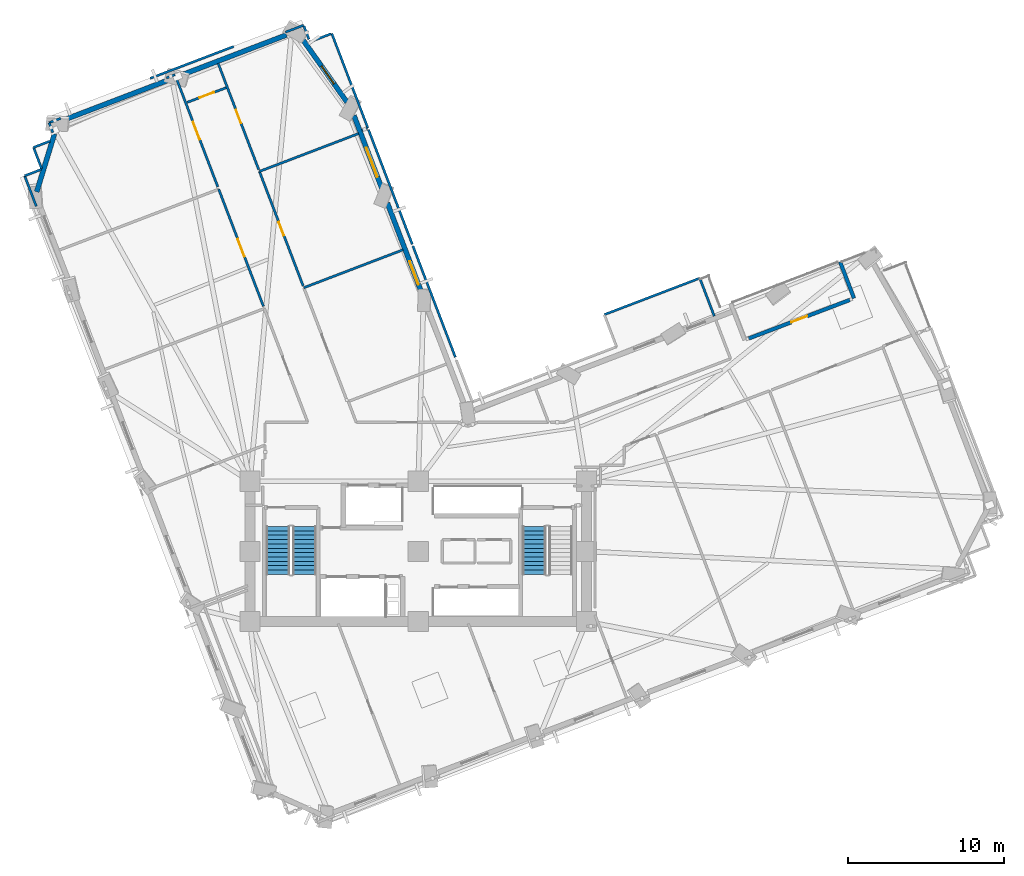
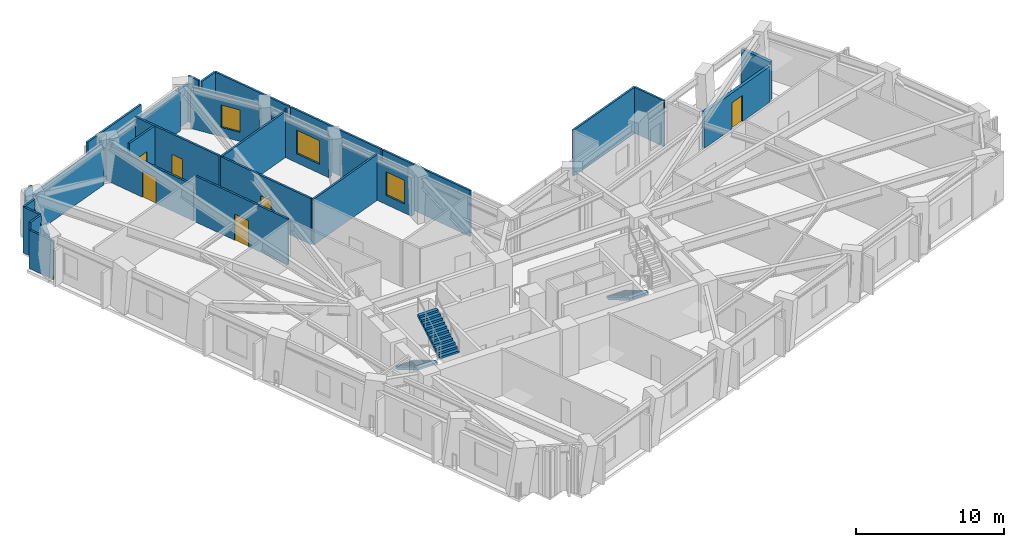
# One storey, part 11 of 15: 32 walls, 6 doors, 3 stair flights, 3 windows, 9 openings, 2 elements without a shape of their own.
"""IFC4 building model written with IfcOpenShell, lengths in metres."""

from ifc_helpers import new_model, si_unit, direction, frame, frame_2d, origin, place, context, subcontext, project, spatial, polyline, rectangle, outline, extrude, material, layer, layer_set, type_object, element, fill, aggregate, save


model = new_model("IFC4")

# Units and contexts
model_context = context("Model", 3, precision=1e-05, world=origin(), true_north=direction((0.0, 1.0)))
body_context = subcontext(model_context, "Body", "Model", "MODEL_VIEW")
ifc_project = project(units=[si_unit("LENGTHUNIT", "METRE"), si_unit("AREAUNIT", "SQUARE_METRE"), si_unit("VOLUMEUNIT", "CUBIC_METRE"), si_unit("PLANEANGLEUNIT", "RADIAN"), si_unit("MASSUNIT", "GRAM", prefix="KILO")], contexts=[model_context])

# Site, building, storey
site_placement = place(None, origin())
site = spatial("IfcSite", under=ifc_project, at=site_placement, CompositionType="ELEMENT")
building_placement = place(site_placement, origin())
building = spatial("IfcBuilding", under=site, at=building_placement, Name="Gaonmaruhae Medical Tower", CompositionType="ELEMENT")
storey_placement = place(building_placement, frame((0.0, 0.0, 112.39990234375)))
storey = spatial("IfcBuildingStorey", under=building, at=storey_placement, Name="L26", CompositionType="ELEMENT", Elevation=112.39990234375)

# Wall, opening, door
ifc_material_1 = material(Name="Precast concrete C45/55", Category="concrete")
ifc_layer_1 = layer(ifc_material_1, 0.239990234375)
ifc_layer_set_1 = layer_set([ifc_layer_1], Name="Precast concrete C45/55")
wall_type_1 = type_object("IfcWallType", Name="EW-240 Ribbon & Shelter Insulated Precast Wall", PredefinedType="SOLIDWALL", material=ifc_layer_set_1)
wall_1_placement = place(storey_placement, frame((46.014892578125, 25.965576171875, 0.0), z_axis=(0.0, 0.0, 1.0), x_axis=(0.934206271621, 0.356733292621, 0.0)))
wall_1 = element("IfcWall", 1, at=wall_1_placement, inside=storey, type_object=wall_type_1, Name="L26 Recessed Terrace Enclosure Wall TERB", PredefinedType="SOLIDWALL", context=body_context, shape_type="SweptSolid", body=[
    extrude(rectangle(XDim=6.960205078125, YDim=0.239990234375, at=frame_2d((3.47998046875, 0.0))), origin(), (0.0, 0.0, 1.0), 2.945068359375),
])
opening_1_placement = place(wall_1_placement, frame((2.929931640625, 0.0, 0.0)))
opening_1 = element("IfcOpeningElement", 2, at=opening_1_placement, cuts=wall_1, Name="Opening TD-01", PredefinedType="OPENING", context=body_context, shape_type="SweptSolid", body=[
    extrude(rectangle(XDim=1.10009765625, YDim=2.14990234375, at=frame_2d((0.550048828125, 1.074951171875))), frame((0.0, 0.1298828125, 0.0), z_axis=(0.0, -1.0, 0.0), x_axis=(1.0, 0.0, 0.0)), (0.0, 0.0, 1.0), 0.260009765625),
])
ifc_material_2 = material(Name="Anodised aluminium and toughened safety glass", Category="aluminium")
door_type_1 = type_object("IfcDoorType", Name="TD-01 Terrace & Sky Garden Glazed Door 1100x2150", OperationType="NOTDEFINED", PredefinedType="DOOR", material=ifc_material_2)
door_1_placement = place(opening_1_placement, origin())
door_1 = element("IfcDoor", 3, at=door_1_placement, inside=storey, type_object=door_type_1, Name="L26 Outdoor Terrace Access Door SLB-L26-TER", OperationType="SINGLE_SWING_RIGHT", OverallHeight=2.14990234375, OverallWidth=1.10009765625, PredefinedType="DOOR", context=body_context, shape_type="SweptSolid", body=[
    extrude(rectangle(XDim=1.10009765625, YDim=2.14990234375, at=frame_2d((0.550048828125, 1.074951171875))), frame((0.0, 0.02490234375, 0.0), z_axis=(0.0, -1.0, 0.0), x_axis=(1.0, 0.0, 0.0)), (0.0, 0.0, 1.0), 0.050048828125),
])
fill(opening_1, door_1)

# Wall
wall_2_placement = place(storey_placement, frame((52.77880859375, 28.54833984375, 0.0), z_axis=(0.0, 0.0, 1.0), x_axis=(-0.356831731401, 0.934168676131, 0.0)))
element("IfcWall", 4, at=wall_2_placement, inside=storey, type_object=wall_type_1, Name="L26 Recessed Terrace Enclosure Wall TERR", PredefinedType="SOLIDWALL", context=body_context, shape_type="SweptSolid", body=[
    extrude(rectangle(XDim=2.5, YDim=0.239990234375, at=frame_2d((1.25, 0.0))), origin(), (0.0, 0.0, 1.0), 3.1650390625),
])

# Wall, opening, window
ifc_layer_2 = layer(ifc_material_1, 0.320068359375)
ifc_layer_set_2 = layer_set([ifc_layer_2], Name="Precast concrete C45/55")
wall_type_2 = type_object("IfcWallType", Name="EW-320 Lower Precast Masonry-Frame Facade Wall", PredefinedType="SOLIDWALL", material=ifc_layer_set_2)
wall_3_placement = place(storey_placement, frame((22.821533203125, 34.665283203125, 0.0), z_axis=(0.0, 0.0, 1.0), x_axis=(0.356719620657, -0.934211492243, 0.0)))
wall_3 = element("IfcWall", 5, at=wall_3_placement, inside=storey, type_object=wall_type_2, Name="L26 Precast Masonry-Frame Wall NE01-NE02", PredefinedType="SOLIDWALL", context=body_context, shape_type="SweptSolid", body=[
    extrude(rectangle(XDim=6.22265625, YDim=0.320068359375, at=frame_2d((3.111328125, 0.0))), origin(), (0.0, 0.0, 1.0), 3.1650390625),
])
opening_2_placement = place(wall_3_placement, frame((3.998779296875, 0.0, 0.75)))
opening_2 = element("IfcOpeningElement", 6, at=opening_2_placement, cuts=wall_3, Name="Opening WN-01", PredefinedType="OPENING", context=body_context, shape_type="SweptSolid", body=[
    extrude(rectangle(XDim=1.60009765625, YDim=1.949951171875, at=frame_2d((0.800048828125, 0.97509765625))), frame((0.0, 0.169921875, 0.0), z_axis=(0.0, -1.0, 0.0), x_axis=(1.0, 0.0, 0.0)), (0.0, 0.0, 1.0), 0.340087890625),
])
ifc_material_3 = material(Name="Anodised aluminium and Low-E double glazing", Category="aluminium")
window_type_1 = type_object("IfcWindowType", Name="WN-01 Ward Punched Acoustic Window 1600x1950", PartitioningType="SINGLE_PANEL", PredefinedType="WINDOW", material=ifc_material_3)
window_1_placement = place(opening_2_placement, origin())
window_1 = element("IfcWindow", 7, at=window_1_placement, inside=storey, type_object=window_type_1, Name="L26 Modular Facade Window NE01", OverallHeight=1.949951171875, OverallWidth=1.60009765625, PartitioningType="SINGLE_PANEL", PredefinedType="WINDOW", context=body_context, shape_type="SweptSolid", body=[
    extrude(rectangle(XDim=1.60009765625, YDim=1.949951171875, at=frame_2d((0.800048828125, 0.97509765625))), frame((0.0, 0.030029296875, 0.0), z_axis=(0.0, -1.0, 0.0), x_axis=(1.0, 0.0, 0.0)), (0.0, 0.0, 1.0), 0.06005859375),
])
fill(opening_2, window_1)

wall_4_placement = place(storey_placement, frame((20.676025390625, 40.28369140625, 0.0), z_axis=(0.0, 0.0, 1.0), x_axis=(0.356741479656, -0.934203145302, 0.0)))
wall_4 = element("IfcWall", 8, at=wall_4_placement, inside=storey, type_object=wall_type_2, Name="L26 Precast Masonry-Frame Wall NE02-NE03", PredefinedType="SOLIDWALL", context=body_context, shape_type="SweptSolid", body=[
    extrude(rectangle(XDim=5.047119140625, YDim=0.320068359375, at=frame_2d((2.5234375, 0.0))), origin(), (0.0, 0.0, 1.0), 3.1650390625),
])
opening_3_placement = place(wall_4_placement, frame((2.220703125, 0.0, 0.75)))
opening_3 = element("IfcOpeningElement", 9, at=opening_3_placement, cuts=wall_4, Name="Opening WN-02", PredefinedType="OPENING", context=body_context, shape_type="SweptSolid", body=[
    extrude(rectangle(XDim=2.0, YDim=1.949951171875, at=frame_2d((1.0, 0.97509765625))), frame((0.0, 0.169921875, 0.0), z_axis=(0.0, -1.0, 0.0), x_axis=(1.0, 0.0, 0.0)), (0.0, 0.0, 1.0), 0.340087890625),
])
window_type_2 = type_object("IfcWindowType", Name="WN-02 Double-Bed Ward Punched Window 2000x1950", PartitioningType="SINGLE_PANEL", PredefinedType="WINDOW", material=ifc_material_3)
window_2_placement = place(opening_3_placement, origin())
window_2 = element("IfcWindow", 10, at=window_2_placement, inside=storey, type_object=window_type_2, Name="L26 Modular Facade Window NE02", OverallHeight=1.949951171875, OverallWidth=2.0, PartitioningType="SINGLE_PANEL", PredefinedType="WINDOW", context=body_context, shape_type="SweptSolid", body=[
    extrude(rectangle(XDim=2.0, YDim=1.949951171875, at=frame_2d((1.0, 0.97509765625))), frame((0.0, 0.030029296875, 0.0), z_axis=(0.0, -1.0, 0.0), x_axis=(1.0, 0.0, 0.0)), (0.0, 0.0, 1.0), 0.06005859375),
])
fill(opening_3, window_2)

wall_5_placement = place(storey_placement, frame((17.265380859375, 45.32958984375, 0.0), z_axis=(0.0, 0.0, 1.0), x_axis=(0.577621035299, -0.816305053017, 0.0)))
wall_5 = element("IfcWall", 11, at=wall_5_placement, inside=storey, type_object=wall_type_2, Name="L26 Precast Masonry-Frame Wall NE03-N01", PredefinedType="SOLIDWALL", context=body_context, shape_type="SweptSolid", body=[
    extrude(rectangle(XDim=5.128662109375, YDim=0.320068359375, at=frame_2d((2.564453125, 0.0))), origin(), (0.0, 0.0, 1.0), 3.1650390625),
])
opening_4_placement = place(wall_5_placement, frame((2.293212890625, 0.0, 0.75)))
opening_4 = element("IfcOpeningElement", 12, at=opening_4_placement, cuts=wall_5, Name="Opening WN-03", PredefinedType="OPENING", context=body_context, shape_type="SweptSolid", body=[
    extrude(rectangle(XDim=1.39990234375, YDim=1.85009765625, at=frame_2d((0.699951171875, 0.925048828125))), frame((0.0, 0.169921875, 0.0), z_axis=(0.0, -1.0, 0.0), x_axis=(1.0, 0.0, 0.0)), (0.0, 0.0, 1.0), 0.340087890625),
])
window_type_3 = type_object("IfcWindowType", Name="WN-03 Isolation Ward Punched Window 1400x1850", PartitioningType="SINGLE_PANEL", PredefinedType="WINDOW", material=ifc_material_3)
window_3_placement = place(opening_4_placement, origin())
window_3 = element("IfcWindow", 13, at=window_3_placement, inside=storey, type_object=window_type_3, Name="L26 Modular Facade Window NE03", OverallHeight=1.85009765625, OverallWidth=1.39990234375, PartitioningType="SINGLE_PANEL", PredefinedType="WINDOW", context=body_context, shape_type="SweptSolid", body=[
    extrude(rectangle(XDim=1.39990234375, YDim=1.85009765625, at=frame_2d((0.699951171875, 0.925048828125))), frame((0.0, 0.030029296875, 0.0), z_axis=(0.0, -1.0, 0.0), x_axis=(1.0, 0.0, 0.0)), (0.0, 0.0, 1.0), 0.06005859375),
])
fill(opening_4, window_3)

# Walls
wall_6_placement = place(storey_placement, frame((9.58984375, 42.873779296875, 0.0), z_axis=(0.0, 0.0, 1.0), x_axis=(0.934201815153, 0.356744962915, 0.0)))
element("IfcWall", 14, at=wall_6_placement, inside=storey, type_object=wall_type_2, Name="L26 Precast Masonry-Frame Wall N01-N02", PredefinedType="SOLIDWALL", context=body_context, shape_type="SweptSolid", body=[
    extrude(rectangle(XDim=7.23095703125, YDim=0.320068359375, at=frame_2d((3.615478515625, 0.0))), origin(), (0.0, 0.0, 1.0), 3.1650390625),
])
wall_7_placement = place(storey_placement, frame((1.906494140625, 39.93994140625, 0.0), z_axis=(0.0, 0.0, 1.0), x_axis=(0.934209230199, 0.356725544658, 0.0)))
element("IfcWall", 15, at=wall_7_placement, inside=storey, type_object=wall_type_2, Name="L26 Precast Masonry-Frame Wall N02-N03", PredefinedType="SOLIDWALL", context=body_context, shape_type="SweptSolid", body=[
    extrude(rectangle(XDim=7.270263671875, YDim=0.320068359375, at=frame_2d((3.63525390625, 0.0))), origin(), (0.0, 0.0, 1.0), 3.1650390625),
])
wall_8_placement = place(storey_placement, frame((0.31103515625, 35.384033203125, 0.0), z_axis=(0.0, 0.0, 1.0), x_axis=(0.292819682906, 0.956167680537, 0.0)))
element("IfcWall", 16, at=wall_8_placement, inside=storey, type_object=wall_type_2, Name="L26 Precast Masonry-Frame Wall N03-W01", PredefinedType="SOLIDWALL", context=body_context, shape_type="SweptSolid", body=[
    extrude(rectangle(XDim=3.889404296875, YDim=0.320068359375, at=frame_2d((1.94482421875, 0.0))), origin(), (0.0, 0.0, 1.0), 3.1650390625),
])

# Wall, opening, door
ifc_material_4 = material(Name="Gypsum board partition", Category="gypsum")
ifc_layer_3 = layer(ifc_material_4, 0.14990234375)
ifc_layer_set_3 = layer_set([ifc_layer_3], Name="Gypsum board partition")
wall_type_3 = type_object("IfcWallType", Name="PW-150 Rated Clinical Corridor Partition", PredefinedType="PARTITIONING", material=ifc_layer_set_3)
wall_9_placement = place(storey_placement, frame((11.993896484375, 35.549072265625, 0.0), z_axis=(0.0, 0.0, 1.0), x_axis=(0.356737704726, -0.934204586815, 0.0)))
wall_9 = element("IfcWall", 17, at=wall_9_placement, inside=storey, type_object=wall_type_3, Name="L26 Interior Partition L26-WOF09-53", PredefinedType="PARTITIONING", context=body_context, shape_type="SweptSolid", body=[
    extrude(rectangle(XDim=8.0400390625, YDim=0.14990234375, at=frame_2d((4.02001953125, 0.0))), origin(), (0.0, 0.0, 1.0), 3.780029296875),
])
opening_5_placement = place(wall_9_placement, frame((3.419921875, 0.0, 0.0)))
opening_5 = element("IfcOpeningElement", 18, at=opening_5_placement, cuts=wall_9, Name="Opening CD-02", PredefinedType="OPENING", context=body_context, shape_type="SweptSolid", body=[
    extrude(rectangle(XDim=1.199951171875, YDim=2.14990234375, at=frame_2d((0.60009765625, 1.074951171875))), frame((0.0, 0.0849609375, 0.0), z_axis=(0.0, -1.0, 0.0), x_axis=(1.0, 0.0, 0.0)), (0.0, 0.0, 1.0), 0.169921875),
])
ifc_material_5 = material(Name="Antimicrobial laminate timber fire door", Category="wood")
door_type_2 = type_object("IfcDoorType", Name="CD-02 Clinical Treatment & Procedure Door 1200x2150", OperationType="NOTDEFINED", PredefinedType="DOOR", material=ifc_material_5)
door_2_placement = place(opening_5_placement, origin())
door_2 = element("IfcDoor", 19, at=door_2_placement, inside=storey, type_object=door_type_2, Name="L26 Ward Physician Reporting Office Door", OperationType="SINGLE_SWING_LEFT", OverallHeight=2.14990234375, OverallWidth=1.199951171875, PredefinedType="DOOR", context=body_context, shape_type="SweptSolid", body=[
    extrude(rectangle(XDim=1.199951171875, YDim=2.14990234375, at=frame_2d((0.60009765625, 1.074951171875))), frame((0.0, 0.02490234375, 0.0), z_axis=(0.0, -1.0, 0.0), x_axis=(1.0, 0.0, 0.0)), (0.0, 0.0, 1.0), 0.050048828125),
])
fill(opening_5, door_2)

# Walls
wall_10_placement = place(storey_placement, frame((0.10400390625, 38.23388671875, 0.0), z_axis=(0.0, 0.0, 1.0), x_axis=(0.933820168523, 0.357742774712, 0.0)))
element("IfcWall", 20, at=wall_10_placement, inside=storey, type_object=wall_type_3, Name="L26 Interior Partition L26-WOF10-55", PredefinedType="PARTITIONING", context=body_context, shape_type="SweptSolid", body=[
    extrude(rectangle(XDim=1.138427734375, YDim=0.14990234375, at=frame_2d((0.5693359375, 0.0))), origin(), (0.0, 0.0, 1.0), 3.780029296875),
])
wall_11_placement = place(storey_placement, frame((1.344970703125, 39.18798828125, 0.0), z_axis=(0.0, 0.0, 1.0), x_axis=(-0.357006991696, 0.934101711742, 0.0)))
element("IfcWall", 21, at=wall_11_placement, inside=storey, type_object=wall_type_3, Name="L26 Interior Partition L26-WOF10-56", PredefinedType="PARTITIONING", context=body_context, shape_type="SweptSolid", body=[
    extrude(rectangle(XDim=0.672119140625, YDim=0.14990234375, at=frame_2d((0.3359375, 0.0))), origin(), (0.0, 0.0, 1.0), 2.965087890625),
])
wall_12_placement = place(storey_placement, frame((1.10498046875, 39.81591796875, 0.0), z_axis=(0.0, 0.0, 1.0), x_axis=(0.934097122527, 0.357018999055, 0.0)))
element("IfcWall", 22, at=wall_12_placement, inside=storey, type_object=wall_type_3, Name="L26 Interior Partition L26-WOF10-57", PredefinedType="PARTITIONING", context=body_context, shape_type="SweptSolid", body=[
    extrude(rectangle(XDim=0.793212890625, YDim=0.14990234375, at=frame_2d((0.396484375, 0.0))), origin(), (0.0, 0.0, 1.0), 3.780029296875),
])
wall_13_placement = place(storey_placement, frame((8.637939453125, 42.693115234375, 0.0), z_axis=(0.0, 0.0, 1.0), x_axis=(0.934382200131, 0.356272233101, 0.0)))
element("IfcWall", 23, at=wall_13_placement, inside=storey, type_object=wall_type_3, Name="L26 Interior Partition L26-WOF10-58", PredefinedType="PARTITIONING", context=body_context, shape_type="SweptSolid", body=[
    extrude(rectangle(XDim=0.586669921875, YDim=0.14990234375, at=frame_2d((0.29345703125, 0.0))), origin(), (0.0, 0.0, 1.0), 3.780029296875),
])

# Wall, opening, door
wall_14_placement = place(storey_placement, frame((9.18603515625, 42.902099609375, 0.0), z_axis=(0.0, 0.0, 1.0), x_axis=(0.356779945652, -0.934188455495, 0.0)))
wall_14 = element("IfcWall", 24, at=wall_14_placement, inside=storey, type_object=wall_type_3, Name="L26 Interior Partition L26-WOF10-59", PredefinedType="PARTITIONING", context=body_context, shape_type="SweptSolid", body=[
    extrude(rectangle(XDim=7.71044921875, YDim=0.14990234375, at=frame_2d((3.855224609375, 0.0))), origin(), (0.0, 0.0, 1.0), 2.965087890625),
])
opening_6_placement = place(wall_14_placement, frame((3.255126953125, 0.0, 0.0)))
opening_6 = element("IfcOpeningElement", 25, at=opening_6_placement, cuts=wall_14, Name="Opening CD-02", PredefinedType="OPENING", context=body_context, shape_type="SweptSolid", body=[
    extrude(rectangle(XDim=1.199951171875, YDim=2.14990234375, at=frame_2d((0.60009765625, 1.074951171875))), frame((0.0, 0.0849609375, 0.0), z_axis=(0.0, -1.0, 0.0), x_axis=(1.0, 0.0, 0.0)), (0.0, 0.0, 1.0), 0.169921875),
])
door_3_placement = place(opening_6_placement, origin())
door_3 = element("IfcDoor", 26, at=door_3_placement, inside=storey, type_object=door_type_2, Name="L26 Ward Physician Reporting Office Door", OperationType="SINGLE_SWING_LEFT", OverallHeight=2.14990234375, OverallWidth=1.199951171875, PredefinedType="DOOR", context=body_context, shape_type="SweptSolid", body=[
    extrude(rectangle(XDim=1.199951171875, YDim=2.14990234375, at=frame_2d((0.60009765625, 1.074951171875))), frame((0.0, 0.02490234375, 0.0), z_axis=(0.0, -1.0, 0.0), x_axis=(1.0, 0.0, 0.0)), (0.0, 0.0, 1.0), 0.050048828125),
])
fill(opening_6, door_3)

# Walls
wall_15_placement = place(storey_placement, frame((0.282958984375, 34.45703125, 0.0), z_axis=(0.0, 0.0, 1.0), x_axis=(-0.356945890311, 0.934125061964, 0.0)))
element("IfcWall", 27, at=wall_15_placement, inside=storey, type_object=wall_type_3, Name="L26 Interior Partition L26-WOF10-60", PredefinedType="PARTITIONING", context=body_context, shape_type="SweptSolid", body=[
    extrude(rectangle(XDim=2.093017578125, YDim=0.14990234375, at=frame_2d((1.04638671875, 0.0))), origin(), (0.0, 0.0, 1.0), 3.1650390625),
])
wall_16_placement = place(storey_placement, frame((-0.464111328125, 36.412109375, 0.0), z_axis=(0.0, 0.0, 1.0), x_axis=(0.934289126856, 0.356516237271, 0.0)))
element("IfcWall", 28, at=wall_16_placement, inside=storey, type_object=wall_type_3, Name="L26 Interior Partition L26-WOF10-61", PredefinedType="PARTITIONING", context=body_context, shape_type="SweptSolid", body=[
    extrude(rectangle(XDim=1.149658203125, YDim=0.14990234375, at=frame_2d((0.57470703125, 0.0))), origin(), (0.0, 0.0, 1.0), 3.780029296875),
])
wall_17_placement = place(storey_placement, frame((0.625, 36.8701171875, 0.0), z_axis=(0.0, 0.0, 1.0), x_axis=(-0.356871396394, 0.934153524018, 0.0)))
element("IfcWall", 29, at=wall_17_placement, inside=storey, type_object=wall_type_3, Name="L26 Interior Partition L26-WOF10-62", PredefinedType="PARTITIONING", context=body_context, shape_type="SweptSolid", body=[
    extrude(rectangle(XDim=1.4599609375, YDim=0.14990234375, at=frame_2d((0.72998046875, 0.0))), origin(), (0.0, 0.0, 1.0), 3.780029296875),
])
wall_18_placement = place(storey_placement, frame((36.738037109375, 27.4970703125, 0.0), z_axis=(0.0, 0.0, 1.0), x_axis=(0.934197221663, 0.356756991575, 0.0)))
element("IfcWall", 30, at=wall_18_placement, inside=storey, type_object=wall_type_3, Name="L26 Interior Partition L26-IE02-74", PredefinedType="PARTITIONING", context=body_context, shape_type="SweptSolid", body=[
    extrude(rectangle(XDim=6.5703125, YDim=0.14990234375, at=frame_2d((3.28515625, 0.0))), origin(), (0.0, 0.0, 1.0), 3.780029296875),
])
wall_19_placement = place(storey_placement, frame((42.8759765625, 29.841064453125, 0.0), z_axis=(0.0, 0.0, 1.0), x_axis=(0.356794889846, -0.934182747957, 0.0)))
element("IfcWall", 31, at=wall_19_placement, inside=storey, type_object=wall_type_3, Name="L26 Interior Partition L26-IE02-75", PredefinedType="PARTITIONING", context=body_context, shape_type="SweptSolid", body=[
    extrude(rectangle(XDim=2.615234375, YDim=0.14990234375, at=frame_2d((1.3076171875, 0.0))), origin(), (0.0, 0.0, 1.0), 3.780029296875),
])
wall_20_placement = place(storey_placement, frame((17.4580078125, 29.22802734375, 0.0), z_axis=(0.0, 0.0, 1.0), x_axis=(0.934175840808, 0.356812974051, 0.0)))
element("IfcWall", 32, at=wall_20_placement, inside=storey, type_object=wall_type_3, Name="L26 Interior Partition L26-IN01-86", PredefinedType="PARTITIONING", context=body_context, shape_type="SweptSolid", body=[
    extrude(rectangle(XDim=6.815673828125, YDim=0.14990234375, at=frame_2d((3.40771484375, 0.0))), origin(), (0.0, 0.0, 1.0), 3.780029296875),
])
wall_21_placement = place(storey_placement, frame((24.465087890625, 31.904052734375, 0.0), z_axis=(0.0, 0.0, 1.0), x_axis=(0.356741141549, -0.934203274414, 0.0)))
element("IfcWall", 33, at=wall_21_placement, inside=storey, type_object=wall_type_3, Name="L26 Interior Partition L26-IN01-87", PredefinedType="PARTITIONING", context=body_context, shape_type="SweptSolid", body=[
    extrude(rectangle(XDim=7.635498046875, YDim=0.14990234375, at=frame_2d((3.81787109375, 0.0))), origin(), (0.0, 0.0, 1.0), 3.780029296875),
])

# Wall, opening, door
wall_22_placement = place(storey_placement, frame((17.416015625, 29.340087890625, 0.0), z_axis=(0.0, 0.0, 1.0), x_axis=(-0.356818232032, 0.93417383248, 0.0)))
wall_22 = element("IfcWall", 34, at=wall_22_placement, inside=storey, type_object=wall_type_3, Name="L26 Interior Partition L26-IN02-88", PredefinedType="PARTITIONING", context=body_context, shape_type="SweptSolid", body=[
    extrude(rectangle(XDim=7.869873046875, YDim=0.14990234375, at=frame_2d((3.93505859375, 0.0))), origin(), (0.0, 0.0, 1.0), 3.780029296875),
])
opening_7_placement = place(wall_22_placement, frame((3.47509765625, 0.0, 0.0)))
opening_7 = element("IfcOpeningElement", 35, at=opening_7_placement, cuts=wall_22, Name="Opening UD-01", PredefinedType="OPENING", context=body_context, shape_type="SweptSolid", body=[
    extrude(rectangle(XDim=0.919921875, YDim=2.10009765625, at=frame_2d((0.4599609375, 1.050048828125))), frame((0.0, 0.0849609375, 0.0), z_axis=(0.0, -1.0, 0.0), x_axis=(1.0, 0.0, 0.0)), (0.0, 0.0, 1.0), 0.169921875),
])
ifc_material_6 = material(Name="Powder-coated steel utility door", Category="steel")
door_type_3 = type_object("IfcDoorType", Name="UD-01 Toilet, Utility & Housekeeping Door 920x2100", OperationType="NOTDEFINED", PredefinedType="DOOR", material=ifc_material_6)
door_4_placement = place(opening_7_placement, origin())
door_4 = element("IfcDoor", 36, at=door_4_placement, inside=storey, type_object=door_type_3, Name="L26 Ward Nutrition Pantry Door", OperationType="SINGLE_SWING_RIGHT", OverallHeight=2.10009765625, OverallWidth=0.919921875, PredefinedType="DOOR", context=body_context, shape_type="SweptSolid", body=[
    extrude(rectangle(XDim=0.919921875, YDim=2.10009765625, at=frame_2d((0.4599609375, 1.050048828125))), frame((0.0, 0.02490234375, 0.0), z_axis=(0.0, -1.0, 0.0), x_axis=(1.0, 0.0, 0.0)), (0.0, 0.0, 1.0), 0.050048828125),
])
fill(opening_7, door_4)

# Walls
wall_23_placement = place(storey_placement, frame((14.60791015625, 36.69189453125, 0.0), z_axis=(0.0, 0.0, 1.0), x_axis=(0.934216215808, 0.356707249886, 0.0)))
element("IfcWall", 37, at=wall_23_placement, inside=storey, type_object=wall_type_3, Name="L26 Interior Partition L26-IN02-89", PredefinedType="PARTITIONING", context=body_context, shape_type="SweptSolid", body=[
    extrude(rectangle(XDim=6.8154296875, YDim=0.14990234375, at=frame_2d((3.40771484375, 0.0))), origin(), (0.0, 0.0, 1.0), 3.780029296875),
])
wall_24_placement = place(storey_placement, frame((21.614990234375, 39.367919921875, 0.0), z_axis=(0.0, 0.0, 1.0), x_axis=(0.356709934664, -0.934215190688, 0.0)))
element("IfcWall", 38, at=wall_24_placement, inside=storey, type_object=wall_type_3, Name="L26 Interior Partition L26-IN02-90", PredefinedType="PARTITIONING", context=body_context, shape_type="SweptSolid", body=[
    extrude(rectangle(XDim=7.869384765625, YDim=0.14990234375, at=frame_2d((3.9345703125, 0.0))), origin(), (0.0, 0.0, 1.0), 3.780029296875),
])
wall_25_placement = place(storey_placement, frame((19.2548828125, 45.548095703125, 0.0), z_axis=(0.0, 0.0, 1.0), x_axis=(0.356731387225, -0.934206999208, 0.0)))
element("IfcWall", 39, at=wall_25_placement, inside=storey, type_object=wall_type_3, Name="L26 Interior Partition L26-IN03-91", PredefinedType="PARTITIONING", context=body_context, shape_type="SweptSolid", body=[
    extrude(rectangle(XDim=6.495361328125, YDim=0.14990234375, at=frame_2d((3.24755859375, 0.0))), origin(), (0.0, 0.0, 1.0), 3.780029296875),
])
wall_26_placement = place(storey_placement, frame((21.52490234375, 39.4619140625, 0.0), z_axis=(0.0, 0.0, 1.0), x_axis=(-0.934445312554, -0.356106666389, 0.0)))
element("IfcWall", 40, at=wall_26_placement, inside=storey, type_object=wall_type_3, Name="L26 Interior Partition L26-IN03-92", PredefinedType="PARTITIONING", context=body_context, shape_type="SweptSolid", body=[
    extrude(rectangle(XDim=0.36474609375, YDim=0.14990234375, at=frame_2d((0.182373046875, 0.0))), origin(), (0.0, 0.0, 1.0), 3.780029296875),
])

# Wall, opening, door
wall_27_placement = place(storey_placement, frame((14.56494140625, 36.803955078125, 0.0), z_axis=(0.0, 0.0, 1.0), x_axis=(-0.356753501963, 0.93419855429, 0.0)))
wall_27 = element("IfcWall", 41, at=wall_27_placement, inside=storey, type_object=wall_type_3, Name="L26 Interior Partition L26-IN03-93", PredefinedType="PARTITIONING", context=body_context, shape_type="SweptSolid", body=[
    extrude(rectangle(XDim=7.31005859375, YDim=0.14990234375, at=frame_2d((3.655029296875, 0.0))), origin(), (0.0, 0.0, 1.0), 3.780029296875),
])
opening_8_placement = place(wall_27_placement, frame((3.195068359375, 0.0, 0.0)))
opening_8 = element("IfcOpeningElement", 42, at=opening_8_placement, cuts=wall_27, Name="Opening UD-01", PredefinedType="OPENING", context=body_context, shape_type="SweptSolid", body=[
    extrude(rectangle(XDim=0.919921875, YDim=2.10009765625, at=frame_2d((0.4599609375, 1.050048828125))), frame((0.0, 0.0849609375, 0.0), z_axis=(0.0, -1.0, 0.0), x_axis=(1.0, 0.0, 0.0)), (0.0, 0.0, 1.0), 0.169921875),
])
door_5_placement = place(opening_8_placement, origin())
door_5 = element("IfcDoor", 43, at=door_5_placement, inside=storey, type_object=door_type_3, Name="L26 Public Visitor Toilet Door", OperationType="SINGLE_SWING_RIGHT", OverallHeight=2.10009765625, OverallWidth=0.919921875, PredefinedType="DOOR", context=body_context, shape_type="SweptSolid", body=[
    extrude(rectangle(XDim=0.919921875, YDim=2.10009765625, at=frame_2d((0.4599609375, 1.050048828125))), frame((0.0, 0.02490234375, 0.0), z_axis=(0.0, -1.0, 0.0), x_axis=(1.0, 0.0, 0.0)), (0.0, 0.0, 1.0), 0.050048828125),
])
fill(opening_8, door_5)

# Walls
wall_28_placement = place(storey_placement, frame((16.277099609375, 45.631103515625, 0.0), z_axis=(0.0, 0.0, 1.0), x_axis=(0.934456839765, 0.356076416822, 0.0)))
element("IfcWall", 44, at=wall_28_placement, inside=storey, type_object=wall_type_3, Name="L26 Interior Partition L26-IN03-94", PredefinedType="PARTITIONING", context=body_context, shape_type="SweptSolid", body=[
    extrude(rectangle(XDim=1.251953125, YDim=0.14990234375, at=frame_2d((0.6259765625, 0.0))), origin(), (0.0, 0.0, 1.0), 3.1650390625),
])
wall_29_placement = place(storey_placement, frame((17.465087890625, 46.030029296875, 0.0), z_axis=(0.0, 0.0, 1.0), x_axis=(0.355628642723, -0.934627342033, 0.0)))
element("IfcWall", 45, at=wall_29_placement, inside=storey, type_object=wall_type_3, Name="L26 Interior Partition L26-IN03-95", PredefinedType="PARTITIONING", context=body_context, shape_type="SweptSolid", body=[
    extrude(rectangle(XDim=0.913818359375, YDim=0.14990234375, at=frame_2d((0.45703125, 0.0))), origin(), (0.0, 0.0, 1.0), 3.780029296875),
])
wall_30_placement = place(storey_placement, frame((17.85302734375, 45.011962890625, 0.0), z_axis=(0.0, 0.0, 1.0), x_axis=(0.934055137267, 0.35712882906, 0.0)))
element("IfcWall", 46, at=wall_30_placement, inside=storey, type_object=wall_type_3, Name="L26 Interior Partition L26-IN03-96", PredefinedType="PARTITIONING", context=body_context, shape_type="SweptSolid", body=[
    extrude(rectangle(XDim=1.45068359375, YDim=0.14990234375, at=frame_2d((0.725341796875, 0.0))), origin(), (0.0, 0.0, 1.0), 3.780029296875),
])

# Wall, opening, door
wall_31_placement = place(storey_placement, frame((12.47509765625, 42.06689453125, 0.0), z_axis=(0.0, 0.0, 1.0), x_axis=(-0.93593469175, -0.352173611701, 0.0)))
wall_31 = element("IfcWall", 47, at=wall_31_placement, inside=storey, type_object=wall_type_3, Name="L26 Interior Partition L26-RM01-97", PredefinedType="PARTITIONING", context=body_context, shape_type="SweptSolid", body=[
    extrude(rectangle(XDim=2.674560546875, YDim=0.14990234375, at=frame_2d((1.33740234375, 0.0))), origin(), (0.0, 0.0, 1.0), 3.780029296875),
])
opening_9_placement = place(wall_31_placement, frame((0.837158203125, 0.0, 0.0)))
opening_9 = element("IfcOpeningElement", 48, at=opening_9_placement, cuts=wall_31, Name="Opening CD-01", PredefinedType="OPENING", context=body_context, shape_type="SweptSolid", body=[
    extrude(rectangle(XDim=1.0, YDim=2.1201171875, at=frame_2d((0.5, 1.06005859375))), frame((0.0, 0.0849609375, 0.0), z_axis=(0.0, -1.0, 0.0), x_axis=(1.0, 0.0, 0.0)), (0.0, 0.0, 1.0), 0.169921875),
])
door_type_4 = type_object("IfcDoorType", Name="CD-01 Consultation & Physician Office Door 1000x2120", OperationType="NOTDEFINED", PredefinedType="DOOR", material=ifc_material_5)
door_6_placement = place(opening_9_placement, origin())
door_6 = element("IfcDoor", 49, at=door_6_placement, inside=storey, type_object=door_type_4, Name="L26 Clinical Case Review Office Door", OperationType="SINGLE_SWING_LEFT", OverallHeight=2.1201171875, OverallWidth=1.0, PredefinedType="DOOR", context=body_context, shape_type="SweptSolid", body=[
    extrude(rectangle(XDim=1.0, YDim=2.1201171875, at=frame_2d((0.5, 1.06005859375))), frame((0.0, 0.02490234375, 0.0), z_axis=(0.0, -1.0, 0.0), x_axis=(1.0, 0.0, 0.0)), (0.0, 0.0, 1.0), 0.050048828125),
])
fill(opening_9, door_6)

# Wall
wall_32_placement = place(storey_placement, frame((7.594970703125, 42.6689453125, 0.0), z_axis=(0.0, 0.0, 1.0), x_axis=(0.934230756323, 0.35666916595, 0.0)))
element("IfcWall", 50, at=wall_32_placement, inside=storey, type_object=wall_type_3, Name="L26 Interior Partition L26-RM01-98", PredefinedType="PARTITIONING", context=body_context, shape_type="SweptSolid", body=[
    extrude(rectangle(XDim=5.739501953125, YDim=0.14990234375, at=frame_2d((2.86962890625, 0.0))), origin(), (0.0, 0.0, 1.0), 3.780029296875),
])

# Stair, stair flights
ifc_material_7 = material(Name="Concrete C40/50", Category="concrete")
stair_type = type_object("IfcStairType", Name="ST-T1 Primary Core Escape Dogleg Stair", PredefinedType="TWO_QUARTER_TURN_STAIR", material=ifc_material_7)
stair_1_placement = place(storey_placement, origin())
stair_1 = element("IfcStair", 51, at=stair_1_placement, inside=storey, type_object=stair_type, Name="L26 Protected Escape Stair ST-01", PredefinedType="TWO_QUARTER_TURN_STAIR")
stair_flight_type = type_object("IfcStairFlightType", Name="SF-T1 Primary Core Precast Stair Flight", PredefinedType="STRAIGHT", material=ifc_material_7)
stair_flight_1_placement = place(storey_placement, frame((15.800048828125, 13.89990234375, 0.0), z_axis=(0.0, 0.0, 1.0), x_axis=(0.0, -1.0, 0.0)))
stair_flight_1 = element("IfcStairFlight", 52, at=stair_flight_1_placement, type_object=stair_flight_type, Name="ST-01 flight 1", NumberOfRisers=12, NumberOfTreads=11, PredefinedType="STRAIGHT", RiserHeight=0.166666667, TreadLength=0.28, context=body_context, shape_type="SweptSolid", body=[
    extrude(outline(polyline([(0.0, 0.0), (0.0, 0.166748046875), (0.280029296875, 0.166748046875), (0.280029296875, 0.333251953125), (0.56005859375, 0.333251953125), (0.56005859375, 0.5), (0.840087890625, 0.5), (0.840087890625, 0.666748046875), (1.1201171875, 0.666748046875), (1.1201171875, 0.833251953125), (1.39990234375, 0.833251953125), (1.39990234375, 1.0), (1.679931640625, 1.0), (1.679931640625, 1.166748046875), (1.9599609375, 1.166748046875), (1.9599609375, 1.333251953125), (2.239990234375, 1.333251953125), (2.239990234375, 1.5), (2.52001953125, 1.5), (2.52001953125, 1.666748046875), (2.800048828125, 1.666748046875), (2.800048828125, 1.833251953125), (3.080078125, 1.833251953125), (3.080078125, 2.0), (3.080078125, 1.658935546875), (0.29296875, 0.0), (0.0, 0.0)])), frame((0.0, 0.75, 0.0), z_axis=(0.0, -1.0, 0.0), x_axis=(1.0, 0.0, 0.0)), (0.0, 0.0, 1.0), 1.5),
])
stair_flight_2_placement = place(storey_placement, frame((17.5, 10.820068359375, 2.0), z_axis=(0.0, 0.0, 1.0), x_axis=(0.0, 1.0, 0.0)))
stair_flight_2 = element("IfcStairFlight", 53, at=stair_flight_2_placement, type_object=stair_flight_type, Name="ST-01 flight 2", NumberOfRisers=12, NumberOfTreads=11, PredefinedType="STRAIGHT", RiserHeight=0.166666667, TreadLength=0.28, context=body_context, shape_type="SweptSolid", body=[
    extrude(outline(polyline([(0.0, 0.0), (0.0, 0.166748046875), (0.280029296875, 0.166748046875), (0.280029296875, 0.333251953125), (0.56005859375, 0.333251953125), (0.56005859375, 0.5), (0.840087890625, 0.5), (0.840087890625, 0.666748046875), (1.1201171875, 0.666748046875), (1.1201171875, 0.833251953125), (1.39990234375, 0.833251953125), (1.39990234375, 1.0), (1.679931640625, 1.0), (1.679931640625, 1.166748046875), (1.9599609375, 1.166748046875), (1.9599609375, 1.333251953125), (2.239990234375, 1.333251953125), (2.239990234375, 1.5), (2.52001953125, 1.5), (2.52001953125, 1.666748046875), (2.800048828125, 1.666748046875), (2.800048828125, 1.833251953125), (3.080078125, 1.833251953125), (3.080078125, 2.0), (3.080078125, 1.658935546875), (0.29296875, 0.0), (0.0, 0.0)])), frame((0.0, 0.75, 0.0), z_axis=(0.0, -1.0, 0.0), x_axis=(1.0, 0.0, 0.0)), (0.0, 0.0, 1.0), 1.5),
])
aggregate(stair_1, [stair_flight_1, stair_flight_2])

# Stair, stair flight
stair_2_placement = place(storey_placement, origin())
stair_2 = element("IfcStair", 54, at=stair_2_placement, inside=storey, type_object=stair_type, Name="L26 Protected Escape Stair ST-02", PredefinedType="TWO_QUARTER_TURN_STAIR")
stair_flight_3_placement = place(storey_placement, frame((32.25, 13.89990234375, 0.0), z_axis=(0.0, 0.0, 1.0), x_axis=(0.0, -1.0, 0.0)))
stair_flight_3 = element("IfcStairFlight", 55, at=stair_flight_3_placement, type_object=stair_flight_type, Name="ST-02 flight 1", NumberOfRisers=12, NumberOfTreads=11, PredefinedType="STRAIGHT", RiserHeight=0.166666667, TreadLength=0.28, context=body_context, shape_type="SweptSolid", body=[
    extrude(outline(polyline([(0.0, 0.0), (0.0, 0.166748046875), (0.280029296875, 0.166748046875), (0.280029296875, 0.333251953125), (0.56005859375, 0.333251953125), (0.56005859375, 0.5), (0.840087890625, 0.5), (0.840087890625, 0.666748046875), (1.1201171875, 0.666748046875), (1.1201171875, 0.833251953125), (1.39990234375, 0.833251953125), (1.39990234375, 1.0), (1.679931640625, 1.0), (1.679931640625, 1.166748046875), (1.9599609375, 1.166748046875), (1.9599609375, 1.333251953125), (2.239990234375, 1.333251953125), (2.239990234375, 1.5), (2.52001953125, 1.5), (2.52001953125, 1.666748046875), (2.800048828125, 1.666748046875), (2.800048828125, 1.833251953125), (3.080078125, 1.833251953125), (3.080078125, 2.0), (3.080078125, 1.658935546875), (0.29296875, 0.0), (0.0, 0.0)])), frame((0.0, 0.75, 0.0), z_axis=(0.0, -1.0, 0.0), x_axis=(1.0, 0.0, 0.0)), (0.0, 0.0, 1.0), 1.5),
])
aggregate(stair_2, [stair_flight_3])

save(model, "model.ifc")
